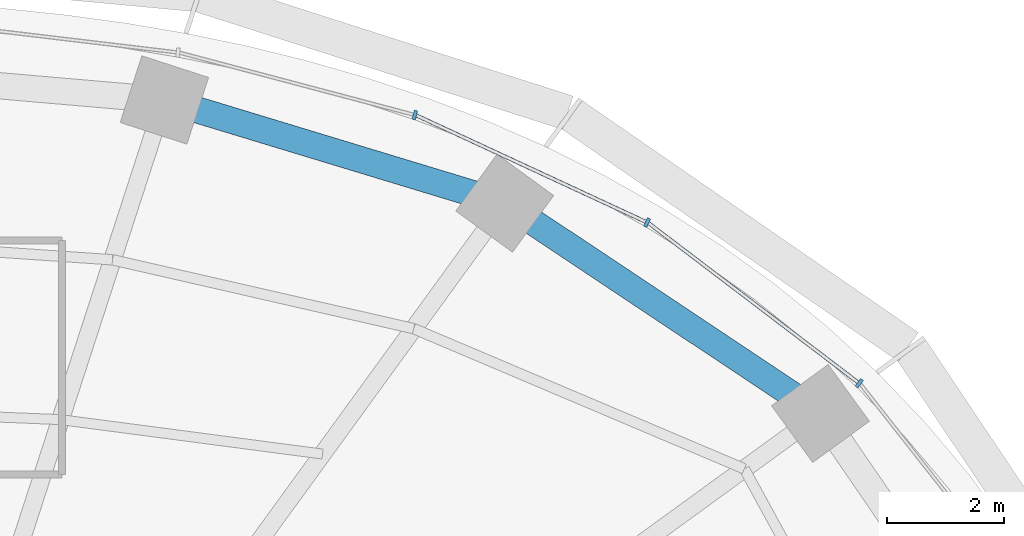
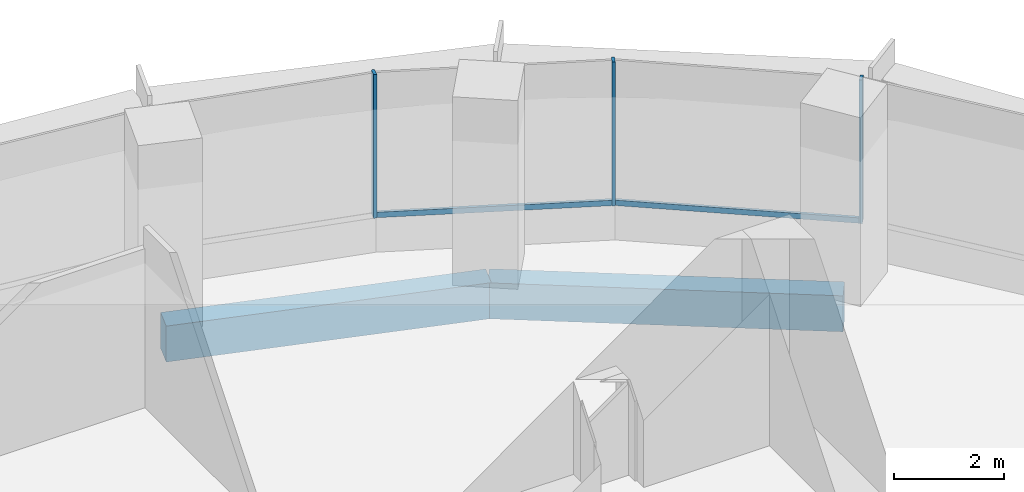
# One storey, part 7 of 13: 5 members, 2 beams, 2 elements without a shape of their own.
"""IFC4 building model written with IfcOpenShell, lengths in metres."""

import ifcopenshell
import ifcopenshell.guid

model = None  # the IFC model being written
_history = None  # IfcOwnerHistory: only IFC2X3 demands one
_inside = {}  # id of a spatial element -> (the spatial element, [elements in it])
_under = {}  # id of a project, library or spatial element -> (it, [spatial elements below it])
_declared = {}  # id of a project -> (the project, [libraries it declares])
_typed = {}  # id of a type object -> (the type object, [elements of that type])
_made_of = {}  # id of a material, layer set ... -> (it, [elements and type objects made of it])


def new_model(schema):
    """Start an empty IFC model of exactly this schema.

    Asked for "IFC4X3", IfcOpenShell would pick the latest addendum, in which some entities
    have other attributes; the version numbers below select the first issue.
    IFC2X3 requires an IfcOwnerHistory on every rooted entity: one is made here for all.
    """
    global model, _history
    if schema == "IFC4X3":
        model = ifcopenshell.file(schema_version=(4, 3, 0, 0))
    else:
        model = ifcopenshell.file(schema=schema)
    _inside.clear()
    _under.clear()
    _declared.clear()
    _typed.clear()
    _made_of.clear()
    _history = None
    if model.schema == "IFC2X3":
        org = make("IfcOrganization", Name="unknown")
        user = make(
            "IfcPersonAndOrganization",
            ThePerson=make("IfcPerson", FamilyName="unknown"),
            TheOrganization=org,
        )
        app = make(
            "IfcApplication",
            ApplicationDeveloper=org,
            Version="unknown",
            ApplicationFullName="unknown",
            ApplicationIdentifier="unknown",
        )
        _history = make(
            "IfcOwnerHistory",
            OwningUser=user,
            OwningApplication=app,
            ChangeAction="ADDED",
            CreationDate=0,
        )
    return model


def make(cls, **values):
    """One entity of the class cls with the attributes given. An attribute that is None is left unset."""
    return model.create_entity(
        cls, **{name: value for name, value in values.items() if value is not None}
    )


def rooted(cls, **values):
    """An entity with a GlobalId (a new one), such as an element, a storey or a relation."""
    return make(cls, GlobalId=ifcopenshell.guid.new(), OwnerHistory=_history, **values)


def si_unit(unit_type, name, prefix=None):
    """IfcSIUnit, for example si_unit("LENGTHUNIT", "METRE", prefix="MILLI")."""
    return make("IfcSIUnit", UnitType=unit_type, Prefix=prefix, Name=name)


def assignment(units):
    """IfcUnitAssignment: the units of a project."""
    return None if units is None else make("IfcUnitAssignment", Units=units)


def point(xyz):
    """IfcCartesianPoint."""
    return None if xyz is None else make("IfcCartesianPoint", Coordinates=xyz)


def direction(xyz):
    """IfcDirection."""
    return None if xyz is None else make("IfcDirection", DirectionRatios=xyz)


def frame(location, z_axis=None, x_axis=None):
    """IfcAxis2Placement3D, a coordinate frame: its origin and axes. An axis left out is left unset."""
    return make(
        "IfcAxis2Placement3D",
        Location=point(location),
        Axis=direction(z_axis),
        RefDirection=direction(x_axis),
    )


def frame_2d(location, x_axis=None):
    """IfcAxis2Placement2D, a coordinate frame in the plane: its origin and x axis."""
    return make(
        "IfcAxis2Placement2D", Location=point(location), RefDirection=direction(x_axis)
    )


def origin():
    """The frame at (0, 0, 0) with its axes left unset."""
    return frame((0.0, 0.0, 0.0))


def origin_2d():
    """The frame at (0, 0) in the plane with its x axis left unset."""
    return frame_2d((0.0, 0.0))


def place(relative_to, where):
    """IfcLocalPlacement: puts the frame where relative to a parent placement (None: the world)."""
    return make(
        "IfcLocalPlacement", PlacementRelTo=relative_to, RelativePlacement=where
    )


def context(
    kind, dimensions, precision=None, world=None, true_north=None, identifier=None
):
    """IfcGeometricRepresentationContext, for example the 3D "Model" context."""
    return make(
        "IfcGeometricRepresentationContext",
        ContextIdentifier=identifier,
        ContextType=kind,
        CoordinateSpaceDimension=dimensions,
        Precision=precision,
        WorldCoordinateSystem=world,
        TrueNorth=true_north,
    )


def subcontext(parent, identifier, kind, view, scale=None):
    """IfcGeometricRepresentationSubContext, for example "Body" below "Model"."""
    return make(
        "IfcGeometricRepresentationSubContext",
        ContextIdentifier=identifier,
        ContextType=kind,
        ParentContext=parent,
        TargetScale=scale,
        TargetView=view,
    )


def project(units=None, contexts=None):
    """IfcProject with its units and contexts."""
    return rooted(
        "IfcProject",
        Name="project",
        RepresentationContexts=contexts,
        UnitsInContext=assignment(units),
    )


def spatial(cls, under=None, at=None, **own):
    """A site, building, storey or space (cls), placed at a placement, below another one or the project."""
    s = rooted(cls, ObjectPlacement=at, **own)
    if under is not None:
        _under.setdefault(under.id(), (under, []))[1].append(s)
    return s


def profile(cls, at=None, kind="AREA", **sizes):
    """A parametric profile (cls). Its sizes go by their IFC names, for example OverallWidth=200.0."""
    return make(cls, ProfileType=kind, Position=at, **sizes)


def rectangle(**sizes):
    """IfcRectangleProfileDef."""
    return profile("IfcRectangleProfileDef", **sizes)


def extrude(swept, where, along, depth):
    """IfcExtrudedAreaSolid: the profile swept, set in the frame where, extruded along a direction by depth."""
    return make(
        "IfcExtrudedAreaSolid",
        SweptArea=swept,
        Position=where,
        ExtrudedDirection=direction(along),
        Depth=depth,
    )


def shape(context_of_items, identifier, shape_type, items):
    """IfcShapeRepresentation: the items that make up one representation, for example the "Body"."""
    return make(
        "IfcShapeRepresentation",
        ContextOfItems=context_of_items,
        RepresentationIdentifier=identifier,
        RepresentationType=shape_type,
        Items=items,
    )


def material(Name=None, Category=None):
    """IfcMaterial."""
    return make("IfcMaterial", Name=Name, Category=Category)


def material_profile(
    of_material, cross_section, Name=None, Category=None, Priority=None
):
    """IfcMaterialProfile: a cross section and its material."""
    return make(
        "IfcMaterialProfile",
        Name=Name,
        Material=of_material,
        Profile=cross_section,
        Priority=Priority,
        Category=Category,
    )


def profile_set(profiles, Name=None, composite=None):
    """IfcMaterialProfileSet."""
    return make(
        "IfcMaterialProfileSet",
        Name=Name,
        MaterialProfiles=profiles,
        CompositeProfile=composite,
    )


def made_of(thing, what):
    """Note that an element or type object is made of a material, layer set ...; save() writes the relation."""
    if what is not None:
        _made_of.setdefault(what.id(), (what, []))[1].append(thing)
    return thing


def type_object(cls, material=None, **own):
    """A type object (cls), such as IfcWallType, which elements share."""
    return made_of(rooted(cls, **own), material)


def element(
    cls,
    number,
    at=None,
    inside=None,
    cuts=None,
    type_object=None,
    material=None,
    context=None,
    identifier="Body",
    shape_type=None,
    held_by="IfcProductDefinitionShape",
    body=None,
    shapes=None,
    **own,
):
    """One element of the class cls, such as IfcWall. Its Tag is "e" and its number.

    at: its placement. inside: the storey or other place that contains it. cuts: it is an
    opening in that element (IfcRelVoidsElement). A single representation is given by context,
    identifier, shape_type and body (its items); several are given by shapes. held_by: the class
    of the entity that holds the representations. save() writes the other relations.
    """
    e = rooted(cls, Tag="e%d" % number, ObjectPlacement=at, **own)
    if body is not None:
        shapes = [shape(context, identifier, shape_type, body)]
    if shapes is not None:
        e.Representation = make(held_by, Representations=shapes)
    if inside is not None:
        _inside.setdefault(inside.id(), (inside, []))[1].append(e)
    if cuts is not None:
        rooted(
            "IfcRelVoidsElement", RelatingBuildingElement=cuts, RelatedOpeningElement=e
        )
    if type_object is not None:
        _typed.setdefault(type_object.id(), (type_object, []))[1].append(e)
    return made_of(e, material)


def aggregate(whole, parts):
    """IfcRelAggregates: a whole, such as a stair, and the parts it consists of."""
    return rooted("IfcRelAggregates", RelatingObject=whole, RelatedObjects=parts)


def save(model, path):
    """Write the relations noted so far, then the file.

    IfcRelAggregates (storeys below a building ...), IfcRelContainedInSpatialStructure (elements
    in a storey), IfcRelDefinesByType, IfcRelAssociatesMaterial and IfcRelDeclares: one each for
    every whole, place, type object, material and project.
    """
    for whole, parts in _under.values():
        aggregate(whole, parts)
    for where, things in _inside.values():
        rooted(
            "IfcRelContainedInSpatialStructure",
            RelatedElements=things,
            RelatingStructure=where,
        )
    for kind, things in _typed.values():
        rooted("IfcRelDefinesByType", RelatedObjects=things, RelatingType=kind)
    for what, things in _made_of.values():
        rooted("IfcRelAssociatesMaterial", RelatedObjects=things, RelatingMaterial=what)
    for by, libraries in _declared.values():
        rooted("IfcRelDeclares", RelatingContext=by, RelatedDefinitions=libraries)
    model.write(path)


model = new_model("IFC4")

# Units and contexts
model_context = context("Model", 3, precision=1e-05, world=origin(), true_north=direction((0.0, 1.0)))
body_context = subcontext(model_context, "Body", "Model", "MODEL_VIEW")
ifc_project = project(units=[si_unit("LENGTHUNIT", "METRE"), si_unit("AREAUNIT", "SQUARE_METRE"), si_unit("VOLUMEUNIT", "CUBIC_METRE"), si_unit("PLANEANGLEUNIT", "RADIAN"), si_unit("MASSUNIT", "GRAM", prefix="KILO")], contexts=[model_context])

# Site, building, storey
site_placement = place(None, origin())
site = spatial("IfcSite", under=ifc_project, at=site_placement, CompositionType="ELEMENT")
building_placement = place(site_placement, origin())
building = spatial("IfcBuilding", under=site, at=building_placement, Name="Marramba Exchange Tower", CompositionType="ELEMENT")
storey_placement = place(building_placement, frame((0.0, 0.0, 272.800048828125)))
storey = spatial("IfcBuildingStorey", under=building, at=storey_placement, Name="L66", CompositionType="ELEMENT", Elevation=272.800048828125)

# Curtain wall, members
ifc_material_1 = material(Name="Aluminium framing, bronze anodised", Category="aluminium")
curtain_wall_type = type_object("IfcCurtainWallType", Name="Executive floor ribbon curtain wall", PredefinedType="USERDEFINED", material=ifc_material_1)
curtain_wall_1_placement = place(storey_placement, origin())
curtain_wall_1 = element("IfcCurtainWall", 1, at=curtain_wall_1_placement, inside=storey, type_object=curtain_wall_type, Name="Curtain wall CW5 L66 F01-F05", ObjectType="RIBBON CURTAIN WALL", PredefinedType="USERDEFINED")
ifc_material_2 = material(Name="Aluminium mullion, bronze anodised", Category="aluminium")
ifc_material_profile_1 = material_profile(ifc_material_2, rectangle(XDim=0.159912109375, YDim=0.06005859375, at=origin_2d()), Name="CW5 mullion 60x160")
ifc_profile_set_1 = profile_set([ifc_material_profile_1], Name="Aluminium mullion, bronze anodised")
member_type_1 = type_object("IfcMemberType", Name="Executive floor ribbon curtain wall mullion", PredefinedType="MULLION", material=ifc_profile_set_1)
member_1_placement = place(storey_placement, frame((17.6494140625, 12.858642578125, 0.800048828125), z_axis=(0.0, 0.0, 1.0), x_axis=(-0.605219156516, -0.796058900199, 0.0)))
member_1 = element("IfcMember", 2, at=member_1_placement, type_object=member_type_1, Name="CW5 mullion 1", PredefinedType="MULLION", context=body_context, shape_type="SweptSolid", body=[
    extrude(rectangle(XDim=0.159912109375, YDim=0.06005859375, at=origin_2d()), origin(), (0.0, 0.0, 1.0), 3.199951171875),
])
member_2_placement = place(storey_placement, frame((14.01806640625, 15.611572265625, 0.800048828125), z_axis=(0.0, 0.0, 1.0), x_axis=(-0.420849274712, -0.90713057934, 0.0)))
member_2 = element("IfcMember", 3, at=member_2_placement, type_object=member_type_1, Name="CW5 mullion 1", PredefinedType="MULLION", context=body_context, shape_type="SweptSolid", body=[
    extrude(rectangle(XDim=0.159912109375, YDim=0.06005859375, at=origin_2d()), origin(), (0.0, 0.0, 1.0), 3.199951171875),
])

# Curtain wall, member
curtain_wall_2_placement = place(storey_placement, origin())
curtain_wall_2 = element("IfcCurtainWall", 4, at=curtain_wall_2_placement, inside=storey, type_object=curtain_wall_type, Name="Curtain wall CW5 L66 F06-F10", ObjectType="RIBBON CURTAIN WALL", PredefinedType="USERDEFINED")
member_3_placement = place(storey_placement, frame((10.04150390625, 17.450439453125, 0.800048828125), z_axis=(0.0, 0.0, 1.0), x_axis=(-0.256125574813, -0.966643517501, 0.0)))
member_3 = element("IfcMember", 5, at=member_3_placement, type_object=member_type_1, Name="CW5 mullion 1", PredefinedType="MULLION", context=body_context, shape_type="SweptSolid", body=[
    extrude(rectangle(XDim=0.159912109375, YDim=0.06005859375, at=origin_2d()), origin(), (0.0, 0.0, 1.0), 3.199951171875),
])
aggregate(curtain_wall_2, [member_3])

# Member
ifc_material_3 = material(Name="Aluminium transom, bronze anodised", Category="aluminium")
ifc_material_profile_2 = material_profile(ifc_material_3, rectangle(XDim=0.06005859375, YDim=0.1201171875, at=origin_2d()), Name="CW5 transom 60x120")
ifc_profile_set_2 = profile_set([ifc_material_profile_2], Name="Aluminium transom, bronze anodised")
member_type_2 = type_object("IfcMemberType", Name="Executive floor ribbon curtain wall transom", PredefinedType="USERDEFINED", material=ifc_profile_set_2)
member_4_placement = place(storey_placement, frame((17.625732421875, 12.876708984375, 0.829833984375), z_axis=(-0.796061771764, 0.605215379461, 0.0), x_axis=(-0.605215379461, -0.796061771764, 0.0)))
member_4 = element("IfcMember", 6, at=member_4_placement, type_object=member_type_2, Name="CW5 sill transom", ObjectType="TRANSOM", PredefinedType="USERDEFINED", context=body_context, shape_type="SweptSolid", body=[
    extrude(rectangle(XDim=0.06005859375, YDim=0.1201171875, at=origin_2d()), origin(), (0.0, 0.0, 1.0), 4.497802734375),
])

member_5_placement = place(storey_placement, frame((13.99072265625, 15.6240234375, 0.829833984375), z_axis=(-0.907117597316, 0.420877256026, 0.0), x_axis=(-0.420877256026, -0.907117597316, 0.0)))
member_5 = element("IfcMember", 7, at=member_5_placement, type_object=member_type_2, Name="CW5 sill transom", ObjectType="TRANSOM", PredefinedType="USERDEFINED", context=body_context, shape_type="SweptSolid", body=[
    extrude(rectangle(XDim=0.06005859375, YDim=0.1201171875, at=origin_2d()), origin(), (0.0, 0.0, 1.0), 4.321533203125),
])

aggregate(curtain_wall_1, [member_1, member_4, member_2, member_5])

# Beams
ifc_material_4 = material(Name="Concrete N50", Category="concrete")
ifc_material_profile_3 = material_profile(ifc_material_4, rectangle(XDim=0.449951171875, YDim=0.800048828125, at=origin_2d()), Name="RC 450x800")
ifc_profile_set_3 = profile_set([ifc_material_profile_3], Name="Concrete N50")
beam_type = type_object("IfcBeamType", Name="Ring beam RC 450x800 N50", PredefinedType="SPANDREL", material=ifc_profile_set_3)
beam_1_placement = place(storey_placement, frame((16.98583984375, 12.3408203125, -0.56005859375), z_axis=(-0.832293151443, 0.554335737673, 0.0), x_axis=(-0.554335737673, -0.832293151443, 0.0)))
element("IfcBeam", 8, at=beam_1_placement, inside=storey, type_object=beam_type, Name="Ring beam L66 TC03-TC04", PredefinedType="SPANDREL", context=body_context, shape_type="SweptSolid", body=[
    extrude(rectangle(XDim=0.449951171875, YDim=0.800048828125, at=origin_2d()), origin(), (0.0, 0.0, 1.0), 6.49365234375),
])
beam_2_placement = place(storey_placement, frame((11.581298828125, 15.9404296875, -0.56005859375), z_axis=(-0.956924542524, 0.290336735387, 0.0), x_axis=(-0.290336735387, -0.956924542524, 0.0)))
element("IfcBeam", 9, at=beam_2_placement, inside=storey, type_object=beam_type, Name="Ring beam L66 TC04-TC05", PredefinedType="SPANDREL", context=body_context, shape_type="SweptSolid", body=[
    extrude(rectangle(XDim=0.449951171875, YDim=0.800048828125, at=origin_2d()), origin(), (0.0, 0.0, 1.0), 6.089599609375),
])

save(model, "model.ifc")
